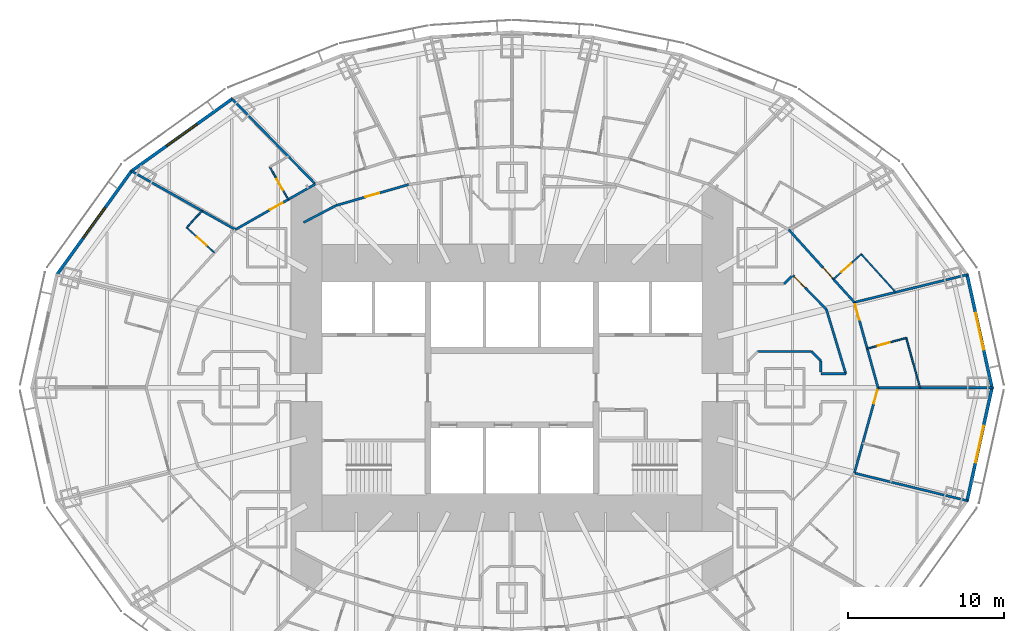
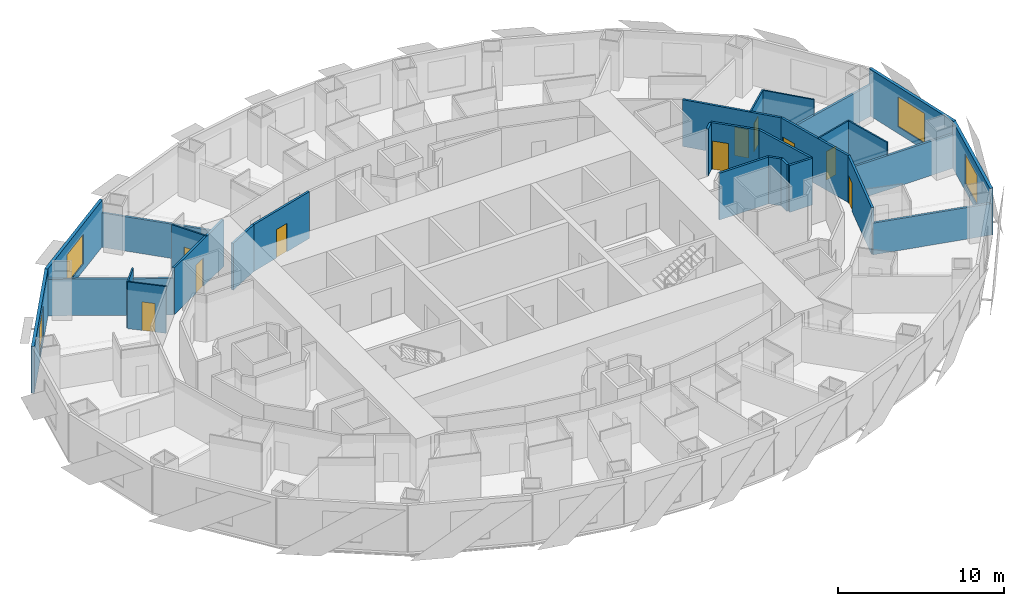
# One storey, part 9 of 17: 29 walls, 10 doors, 4 windows, 14 openings.
"""IFC4 building model written with IfcOpenShell, lengths in metres."""

from ifc_helpers import new_model, si_unit, direction, frame, frame_2d, origin, place, context, subcontext, project, spatial, rectangle, extrude, material, layer, layer_set, type_object, element, fill, save


model = new_model("IFC4")

# Units and contexts
model_context = context("Model", 3, precision=1e-05, world=origin(), true_north=direction((0.0, 1.0)))
body_context = subcontext(model_context, "Body", "Model", "MODEL_VIEW")
ifc_project = project(units=[si_unit("LENGTHUNIT", "METRE"), si_unit("AREAUNIT", "SQUARE_METRE"), si_unit("VOLUMEUNIT", "CUBIC_METRE"), si_unit("PLANEANGLEUNIT", "RADIAN"), si_unit("MASSUNIT", "GRAM", prefix="KILO")], contexts=[model_context])

# Site, building, storey
site_placement = place(None, origin())
site = spatial("IfcSite", under=ifc_project, at=site_placement, CompositionType="ELEMENT")
building_placement = place(site_placement, origin())
building = spatial("IfcBuilding", under=site, at=building_placement, Name="Lantaw Convention Tower", CompositionType="ELEMENT")
storey_placement = place(building_placement, frame((0.0, 0.0, 37.0)))
storey = spatial("IfcBuildingStorey", under=building, at=storey_placement, Name="L06", CompositionType="ELEMENT", Elevation=37.0)

# Wall, opening, door
ifc_material_1 = material(Name="Moisture resistant gypsum board on steel studs", Category="steel")
ifc_layer_1 = layer(ifc_material_1, 0.10009765625)
ifc_layer_set_1 = layer_set([ifc_layer_1], Name="Bathroom wall 100")
wall_type_1 = type_object("IfcWallType", Name="Bathroom wall 100", PredefinedType="PARTITIONING", material=ifc_layer_set_1)
wall_1_placement = place(storey_placement, frame((22.805908203125, 2.505615234375, 0.0), z_axis=(0.0, 0.0, 1.0), x_axis=(0.963707353322, 0.266960928139, 0.0)))
wall_1 = element("IfcWall", 1, at=wall_1_placement, inside=storey, type_object=wall_type_1, Name="Bathroom wall 100", PredefinedType="PARTITIONING", context=body_context, shape_type="SweptSolid", body=[
    extrude(rectangle(XDim=2.599853515625, YDim=0.10009765625, at=frame_2d((1.2998046875, 0.0))), origin(), (0.0, 0.0, 1.0), 3.449951171875),
])
opening_1_placement = place(wall_1_placement, frame((0.699951171875, 0.0, 0.0)))
opening_1 = element("IfcOpeningElement", 2, at=opening_1_placement, cuts=wall_1, Name="Opening L06.25", PredefinedType="OPENING", context=body_context, shape_type="SweptSolid", body=[
    extrude(rectangle(XDim=0.800048828125, YDim=2.10009765625, at=frame_2d((0.39990234375, 1.050048828125))), frame((0.0, 0.06005859375, 0.0), z_axis=(0.0, -1.0, 0.0), x_axis=(1.0, 0.0, 0.0)), (0.0, 0.0, 1.0), 0.1201171875),
])
ifc_material_2 = material(Name="Timber", Category="wood")
door_type_1 = type_object("IfcDoorType", Name="Bathroom door 800", OperationType="SINGLE_SWING_LEFT", PredefinedType="DOOR", material=ifc_material_2)
door_1_placement = place(opening_1_placement, origin())
door_1 = element("IfcDoor", 3, at=door_1_placement, inside=storey, type_object=door_type_1, Name="Bathroom door", OperationType="SINGLE_SWING_LEFT", OverallHeight=2.10009765625, OverallWidth=0.800048828125, PredefinedType="DOOR", context=body_context, shape_type="SweptSolid", body=[
    extrude(rectangle(XDim=0.800048828125, YDim=2.10009765625, at=frame_2d((0.39990234375, 1.050048828125))), frame((0.0, 0.02490234375, 0.0), z_axis=(0.0, -1.0, 0.0), x_axis=(1.0, 0.0, 0.0)), (0.0, 0.0, 1.0), 0.050048828125),
])
fill(opening_1, door_1)

# Wall
wall_2_placement = place(storey_placement, frame((25.3115234375, 3.19970703125, 0.0), z_axis=(0.0, 0.0, 1.0), x_axis=(0.266991503446, -0.963698882996, 0.0)))
element("IfcWall", 4, at=wall_2_placement, inside=storey, type_object=wall_type_1, Name="Bathroom wall 100", PredefinedType="PARTITIONING", context=body_context, shape_type="SweptSolid", body=[
    extrude(rectangle(XDim=3.3203125, YDim=0.10009765625, at=frame_2d((1.66015625, 0.0))), origin(), (0.0, 0.0, 1.0), 3.449951171875),
])

# Wall, opening, door
wall_3_placement = place(storey_placement, frame((20.640625, 6.96435546875, 0.0), z_axis=(0.0, 0.0, 1.0), x_axis=(0.741861025859, 0.670553665496, 0.0)))
wall_3 = element("IfcWall", 5, at=wall_3_placement, inside=storey, type_object=wall_type_1, Name="Bathroom wall 100", PredefinedType="PARTITIONING", context=body_context, shape_type="SweptSolid", body=[
    extrude(rectangle(XDim=2.400146484375, YDim=0.10009765625, at=frame_2d((1.2001953125, 0.0))), origin(), (0.0, 0.0, 1.0), 3.449951171875),
])
opening_2_placement = place(wall_3_placement, frame((0.699951171875, 0.0, 0.0)))
opening_2 = element("IfcOpeningElement", 6, at=opening_2_placement, cuts=wall_3, Name="Opening L06.27", PredefinedType="OPENING", context=body_context, shape_type="SweptSolid", body=[
    extrude(rectangle(XDim=0.800048828125, YDim=2.10009765625, at=frame_2d((0.39990234375, 1.050048828125))), frame((0.0, 0.06005859375, 0.0), z_axis=(0.0, -1.0, 0.0), x_axis=(1.0, 0.0, 0.0)), (0.0, 0.0, 1.0), 0.1201171875),
])
door_2_placement = place(opening_2_placement, origin())
door_2 = element("IfcDoor", 7, at=door_2_placement, inside=storey, type_object=door_type_1, Name="Bathroom door", OperationType="SINGLE_SWING_LEFT", OverallHeight=2.10009765625, OverallWidth=0.800048828125, PredefinedType="DOOR", context=body_context, shape_type="SweptSolid", body=[
    extrude(rectangle(XDim=0.800048828125, YDim=2.10009765625, at=frame_2d((0.39990234375, 1.050048828125))), frame((0.0, 0.02490234375, 0.0), z_axis=(0.0, -1.0, 0.0), x_axis=(1.0, 0.0, 0.0)), (0.0, 0.0, 1.0), 0.050048828125),
])
fill(opening_2, door_2)

# Wall
wall_4_placement = place(storey_placement, frame((22.421142578125, 8.57373046875, 0.0), z_axis=(0.0, 0.0, 1.0), x_axis=(0.670578246017, -0.741838807268, 0.0)))
element("IfcWall", 8, at=wall_4_placement, inside=storey, type_object=wall_type_1, Name="Bathroom wall 100", PredefinedType="PARTITIONING", context=body_context, shape_type="SweptSolid", body=[
    extrude(rectangle(XDim=3.2822265625, YDim=0.10009765625, at=frame_2d((1.64111328125, 0.0))), origin(), (0.0, 0.0, 1.0), 3.449951171875),
])

# Wall, opening, door
wall_5_placement = place(storey_placement, frame((-14.36279296875, 12.083984375, 0.0), z_axis=(0.0, 0.0, 1.0), x_axis=(-0.494703113698, 0.869062039959, 0.0)))
wall_5 = element("IfcWall", 9, at=wall_5_placement, inside=storey, type_object=wall_type_1, Name="Bathroom wall 100", PredefinedType="PARTITIONING", context=body_context, shape_type="SweptSolid", body=[
    extrude(rectangle(XDim=2.39990234375, YDim=0.10009765625, at=frame_2d((1.199951171875, 0.0))), origin(), (0.0, 0.0, 1.0), 3.449951171875),
])
opening_3_placement = place(wall_5_placement, frame((0.699951171875, 0.0, 0.0)))
opening_3 = element("IfcOpeningElement", 10, at=opening_3_placement, cuts=wall_5, Name="Opening L06.43", PredefinedType="OPENING", context=body_context, shape_type="SweptSolid", body=[
    extrude(rectangle(XDim=0.800048828125, YDim=2.10009765625, at=frame_2d((0.39990234375, 1.050048828125))), frame((0.0, 0.06005859375, 0.0), z_axis=(0.0, -1.0, 0.0), x_axis=(1.0, 0.0, 0.0)), (0.0, 0.0, 1.0), 0.1201171875),
])
door_3_placement = place(opening_3_placement, origin())
door_3 = element("IfcDoor", 11, at=door_3_placement, inside=storey, type_object=door_type_1, Name="Bathroom door", OperationType="SINGLE_SWING_LEFT", OverallHeight=2.10009765625, OverallWidth=0.800048828125, PredefinedType="DOOR", context=body_context, shape_type="SweptSolid", body=[
    extrude(rectangle(XDim=0.800048828125, YDim=2.10009765625, at=frame_2d((0.39990234375, 1.050048828125))), frame((0.0, 0.02490234375, 0.0), z_axis=(0.0, -1.0, 0.0), x_axis=(1.0, 0.0, 0.0)), (0.0, 0.0, 1.0), 0.050048828125),
])
fill(opening_3, door_3)

wall_6_placement = place(storey_placement, frame((-19.1025390625, 8.665771484375, 0.0), z_axis=(0.0, 0.0, 1.0), x_axis=(-0.741861025859, 0.670553665496, 0.0)))
wall_6 = element("IfcWall", 12, at=wall_6_placement, inside=storey, type_object=wall_type_1, Name="Bathroom wall 100", PredefinedType="PARTITIONING", context=body_context, shape_type="SweptSolid", body=[
    extrude(rectangle(XDim=2.400146484375, YDim=0.10009765625, at=frame_2d((1.2001953125, 0.0))), origin(), (0.0, 0.0, 1.0), 3.449951171875),
])
opening_4_placement = place(wall_6_placement, frame((0.699951171875, 0.0, 0.0)))
opening_4 = element("IfcOpeningElement", 13, at=opening_4_placement, cuts=wall_6, Name="Opening L06.45", PredefinedType="OPENING", context=body_context, shape_type="SweptSolid", body=[
    extrude(rectangle(XDim=0.800048828125, YDim=2.10009765625, at=frame_2d((0.39990234375, 1.050048828125))), frame((0.0, 0.06005859375, 0.0), z_axis=(0.0, -1.0, 0.0), x_axis=(1.0, 0.0, 0.0)), (0.0, 0.0, 1.0), 0.1201171875),
])
door_4_placement = place(opening_4_placement, origin())
door_4 = element("IfcDoor", 14, at=door_4_placement, inside=storey, type_object=door_type_1, Name="Bathroom door", OperationType="SINGLE_SWING_LEFT", OverallHeight=2.10009765625, OverallWidth=0.800048828125, PredefinedType="DOOR", context=body_context, shape_type="SweptSolid", body=[
    extrude(rectangle(XDim=0.800048828125, YDim=2.10009765625, at=frame_2d((0.39990234375, 1.050048828125))), frame((0.0, 0.02490234375, 0.0), z_axis=(0.0, -1.0, 0.0), x_axis=(1.0, 0.0, 0.0)), (0.0, 0.0, 1.0), 0.050048828125),
])
fill(opening_4, door_4)

# Wall
wall_7_placement = place(storey_placement, frame((-20.883056640625, 10.275146484375, 0.0), z_axis=(0.0, 0.0, 1.0), x_axis=(0.670592268759, 0.7418261313, 0.0)))
element("IfcWall", 15, at=wall_7_placement, inside=storey, type_object=wall_type_1, Name="Bathroom wall 100", PredefinedType="PARTITIONING", context=body_context, shape_type="SweptSolid", body=[
    extrude(rectangle(XDim=1.4736328125, YDim=0.10009765625, at=frame_2d((0.73681640625, 0.0))), origin(), (0.0, 0.0, 1.0), 3.449951171875),
])

# Wall, opening, door
ifc_material_3 = material(Name="Gypsum board on steel studs, fire rated", Category="steel")
ifc_layer_2 = layer(ifc_material_3, 0.14990234375)
ifc_layer_set_2 = layer_set([ifc_layer_2], Name="Corridor wall 150 EI 60")
wall_type_2 = type_object("IfcWallType", Name="Corridor wall 150 EI 60", PredefinedType="PARTITIONING", material=ifc_layer_set_2)
wall_8_placement = place(storey_placement, frame((23.5, 0.0, 0.0), z_axis=(0.0, 0.0, 1.0), x_axis=(-0.266933062421, 0.963715072097, 0.0)))
wall_8 = element("IfcWall", 16, at=wall_8_placement, inside=storey, type_object=wall_type_2, Name="Corridor wall 150", PredefinedType="PARTITIONING", context=body_context, shape_type="SweptSolid", body=[
    extrude(rectangle(XDim=5.68701171875, YDim=0.14990234375, at=frame_2d((2.843505859375, 0.0))), origin(), (0.0, 0.0, 1.0), 3.449951171875),
])
opening_5_placement = place(wall_8_placement, frame((4.537109375, 0.0, 0.0)))
opening_5 = element("IfcOpeningElement", 17, at=opening_5_placement, cuts=wall_8, Name="Opening L06.26", PredefinedType="OPENING", context=body_context, shape_type="SweptSolid", body=[
    extrude(rectangle(XDim=1.0, YDim=2.10009765625, at=frame_2d((0.5, 1.050048828125))), frame((0.0, 0.0849609375, 0.0), z_axis=(0.0, -1.0, 0.0), x_axis=(1.0, 0.0, 0.0)), (0.0, 0.0, 1.0), 0.169921875),
])
ifc_material_4 = material(Name="Steel, fire rated", Category="steel")
door_type_2 = type_object("IfcDoorType", Name="Accessible room entrance door FD30S", OperationType="SINGLE_SWING_LEFT", PredefinedType="DOOR", material=ifc_material_4)
door_5_placement = place(opening_5_placement, origin())
door_5 = element("IfcDoor", 18, at=door_5_placement, inside=storey, type_object=door_type_2, Name="Guest room entrance door", OperationType="SINGLE_SWING_LEFT", OverallHeight=2.10009765625, OverallWidth=1.0, PredefinedType="DOOR", context=body_context, shape_type="SweptSolid", body=[
    extrude(rectangle(XDim=1.0, YDim=2.10009765625, at=frame_2d((0.5, 1.050048828125))), frame((0.0, 0.02490234375, 0.0), z_axis=(0.0, -1.0, 0.0), x_axis=(1.0, 0.0, 0.0)), (0.0, 0.0, 1.0), 0.050048828125),
])
fill(opening_5, door_5)

wall_9_placement = place(storey_placement, frame((21.98193359375, 5.480712890625, 0.0), z_axis=(0.0, 0.0, 1.0), x_axis=(-0.670598380282, 0.741820606591, 0.0)))
wall_9 = element("IfcWall", 19, at=wall_9_placement, inside=storey, type_object=wall_type_2, Name="Corridor wall 150", PredefinedType="PARTITIONING", context=body_context, shape_type="SweptSolid", body=[
    extrude(rectangle(XDim=6.29345703125, YDim=0.14990234375, at=frame_2d((3.146728515625, 0.0))), origin(), (0.0, 0.0, 1.0), 3.449951171875),
])
opening_6_placement = place(wall_9_placement, frame((2.10009765625, 0.0, 0.0)))
opening_6 = element("IfcOpeningElement", 20, at=opening_6_placement, cuts=wall_9, Name="Opening L06.28", PredefinedType="OPENING", context=body_context, shape_type="SweptSolid", body=[
    extrude(rectangle(XDim=0.89990234375, YDim=2.10009765625, at=frame_2d((0.449951171875, 1.050048828125))), frame((0.0, 0.0849609375, 0.0), z_axis=(0.0, -1.0, 0.0), x_axis=(1.0, 0.0, 0.0)), (0.0, 0.0, 1.0), 0.169921875),
])
door_type_3 = type_object("IfcDoorType", Name="Guest room entrance door FD30S", OperationType="SINGLE_SWING_LEFT", PredefinedType="DOOR", material=ifc_material_4)
door_6_placement = place(opening_6_placement, origin())
door_6 = element("IfcDoor", 21, at=door_6_placement, inside=storey, type_object=door_type_3, Name="Guest room entrance door", OperationType="SINGLE_SWING_LEFT", OverallHeight=2.10009765625, OverallWidth=0.89990234375, PredefinedType="DOOR", context=body_context, shape_type="SweptSolid", body=[
    extrude(rectangle(XDim=0.89990234375, YDim=2.10009765625, at=frame_2d((0.449951171875, 1.050048828125))), frame((0.0, 0.02490234375, 0.0), z_axis=(0.0, -1.0, 0.0), x_axis=(1.0, 0.0, 0.0)), (0.0, 0.0, 1.0), 0.050048828125),
])
fill(opening_6, door_6)

wall_10_placement = place(storey_placement, frame((-12.624755859375, 13.0732421875, 0.0), z_axis=(0.0, 0.0, 1.0), x_axis=(-0.86907565943, -0.494679187136, 0.0)))
wall_10 = element("IfcWall", 22, at=wall_10_placement, inside=storey, type_object=wall_type_2, Name="Corridor wall 150", PredefinedType="PARTITIONING", context=body_context, shape_type="SweptSolid", body=[
    extrude(rectangle(XDim=5.91064453125, YDim=0.14990234375, at=frame_2d((2.955322265625, 0.0))), origin(), (0.0, 0.0, 1.0), 3.449951171875),
])
opening_7_placement = place(wall_10_placement, frame((2.43701171875, 0.0, 0.0)))
opening_7 = element("IfcOpeningElement", 23, at=opening_7_placement, cuts=wall_10, Name="Opening L06.44", PredefinedType="OPENING", context=body_context, shape_type="SweptSolid", body=[
    extrude(rectangle(XDim=0.89990234375, YDim=2.10009765625, at=frame_2d((0.449951171875, 1.050048828125))), frame((0.0, 0.0849609375, 0.0), z_axis=(0.0, -1.0, 0.0), x_axis=(1.0, 0.0, 0.0)), (0.0, 0.0, 1.0), 0.169921875),
])
door_7_placement = place(opening_7_placement, origin())
door_7 = element("IfcDoor", 24, at=door_7_placement, inside=storey, type_object=door_type_3, Name="Guest room entrance door", OperationType="SINGLE_SWING_LEFT", OverallHeight=2.10009765625, OverallWidth=0.89990234375, PredefinedType="DOOR", context=body_context, shape_type="SweptSolid", body=[
    extrude(rectangle(XDim=0.89990234375, YDim=2.10009765625, at=frame_2d((0.449951171875, 1.050048828125))), frame((0.0, 0.02490234375, 0.0), z_axis=(0.0, -1.0, 0.0), x_axis=(1.0, 0.0, 0.0)), (0.0, 0.0, 1.0), 0.050048828125),
])
fill(opening_7, door_7)

wall_11_placement = place(storey_placement, frame((21.98193359375, -5.480712890625, 0.0), z_axis=(0.0, 0.0, 1.0), x_axis=(0.266933062421, 0.963715072097, 0.0)))
wall_11 = element("IfcWall", 25, at=wall_11_placement, inside=storey, type_object=wall_type_2, Name="Corridor wall 150", PredefinedType="PARTITIONING", context=body_context, shape_type="SweptSolid", body=[
    extrude(rectangle(XDim=5.68701171875, YDim=0.14990234375, at=frame_2d((2.843505859375, 0.0))), origin(), (0.0, 0.0, 1.0), 3.449951171875),
])
opening_8_placement = place(wall_11_placement, frame((4.63720703125, 0.0, 0.0)))
opening_8 = element("IfcOpeningElement", 26, at=opening_8_placement, cuts=wall_11, Name="Opening L06.71", PredefinedType="OPENING", context=body_context, shape_type="SweptSolid", body=[
    extrude(rectangle(XDim=0.89990234375, YDim=2.10009765625, at=frame_2d((0.449951171875, 1.050048828125))), frame((0.0, 0.0849609375, 0.0), z_axis=(0.0, -1.0, 0.0), x_axis=(1.0, 0.0, 0.0)), (0.0, 0.0, 1.0), 0.169921875),
])
door_8_placement = place(opening_8_placement, origin())
door_8 = element("IfcDoor", 27, at=door_8_placement, inside=storey, type_object=door_type_3, Name="Guest room entrance door", OperationType="SINGLE_SWING_LEFT", OverallHeight=2.10009765625, OverallWidth=0.89990234375, PredefinedType="DOOR", context=body_context, shape_type="SweptSolid", body=[
    extrude(rectangle(XDim=0.89990234375, YDim=2.10009765625, at=frame_2d((0.449951171875, 1.050048828125))), frame((0.0, 0.02490234375, 0.0), z_axis=(0.0, -1.0, 0.0), x_axis=(1.0, 0.0, 0.0)), (0.0, 0.0, 1.0), 0.050048828125),
])
fill(opening_8, door_8)

# Wall
wall_12_placement = place(storey_placement, frame((21.4287109375, 0.89990234375, 0.0), z_axis=(0.0, 0.0, 1.0), x_axis=(-0.288603524054, 0.957448696225, 0.0)))
element("IfcWall", 28, at=wall_12_placement, inside=storey, type_object=wall_type_2, Name="Corridor wall 150", PredefinedType="PARTITIONING", context=body_context, shape_type="SweptSolid", body=[
    extrude(rectangle(XDim=4.31591796875, YDim=0.14990234375, at=frame_2d((2.157958984375, 0.0))), origin(), (0.0, 0.0, 1.0), 3.449951171875),
])

# Wall, opening, door
wall_13_placement = place(storey_placement, frame((-6.645263671875, 13.041748046875, 0.0), z_axis=(0.0, 0.0, 1.0), x_axis=(-0.960678318068, -0.277663770041, 0.0)))
wall_13 = element("IfcWall", 29, at=wall_13_placement, inside=storey, type_object=wall_type_2, Name="Corridor wall 150", PredefinedType="PARTITIONING", context=body_context, shape_type="SweptSolid", body=[
    extrude(rectangle(XDim=4.84130859375, YDim=0.14990234375, at=frame_2d((2.420654296875, 0.0))), origin(), (0.0, 0.0, 1.0), 3.449951171875),
])
opening_9_placement = place(wall_13_placement, frame((1.970703125, 0.0, 0.0)))
opening_9 = element("IfcOpeningElement", 30, at=opening_9_placement, cuts=wall_13, Name="Opening L06.19", PredefinedType="OPENING", context=body_context, shape_type="SweptSolid", body=[
    extrude(rectangle(XDim=0.89990234375, YDim=2.10009765625, at=frame_2d((0.449951171875, 1.050048828125))), frame((0.0, 0.0849609375, 0.0), z_axis=(0.0, -1.0, 0.0), x_axis=(1.0, 0.0, 0.0)), (0.0, 0.0, 1.0), 0.169921875),
])
door_type_4 = type_object("IfcDoorType", Name="Service door 900 FD30", OperationType="SINGLE_SWING_LEFT", PredefinedType="DOOR", material=ifc_material_4)
door_9_placement = place(opening_9_placement, origin())
door_9 = element("IfcDoor", 31, at=door_9_placement, inside=storey, type_object=door_type_4, Name="Housekeeping store door", OperationType="SINGLE_SWING_LEFT", OverallHeight=2.10009765625, OverallWidth=0.89990234375, PredefinedType="DOOR", context=body_context, shape_type="SweptSolid", body=[
    extrude(rectangle(XDim=0.89990234375, YDim=2.10009765625, at=frame_2d((0.449951171875, 1.050048828125))), frame((0.0, 0.02490234375, 0.0), z_axis=(0.0, -1.0, 0.0), x_axis=(1.0, 0.0, 0.0)), (0.0, 0.0, 1.0), 0.050048828125),
])
fill(opening_9, door_9)

# Wall
wall_14_placement = place(storey_placement, frame((-11.296142578125, 11.697509765625, 0.0), z_axis=(0.0, 0.0, 1.0), x_axis=(-0.886306431218, -0.463099244203, 0.0)))
element("IfcWall", 32, at=wall_14_placement, inside=storey, type_object=wall_type_2, Name="Corridor wall 150", PredefinedType="PARTITIONING", context=body_context, shape_type="SweptSolid", body=[
    extrude(rectangle(XDim=2.3623046875, YDim=0.14990234375, at=frame_2d((1.18115234375, 0.0))), origin(), (0.0, 0.0, 1.0), 3.449951171875),
])

# Wall, opening, door
wall_15_placement = place(storey_placement, frame((20.18310546875, 5.0322265625, 0.0), z_axis=(0.0, 0.0, 1.0), x_axis=(-0.701392176983, 0.712775570616, 0.0)))
wall_15 = element("IfcWall", 33, at=wall_15_placement, inside=storey, type_object=wall_type_2, Name="Corridor wall 150", PredefinedType="PARTITIONING", context=body_context, shape_type="SweptSolid", body=[
    extrude(rectangle(XDim=3.06689453125, YDim=0.14990234375, at=frame_2d((1.533447265625, 0.0))), origin(), (0.0, 0.0, 1.0), 3.449951171875),
])
opening_10_placement = place(wall_15_placement, frame((1.949951171875, 0.0, 0.0)))
opening_10 = element("IfcOpeningElement", 34, at=opening_10_placement, cuts=wall_15, Name="Opening L06.16", PredefinedType="OPENING", context=body_context, shape_type="SweptSolid", body=[
    extrude(rectangle(XDim=1.0, YDim=2.10009765625, at=frame_2d((0.5, 1.050048828125))), frame((0.0, 0.0849609375, 0.0), z_axis=(0.0, -1.0, 0.0), x_axis=(1.0, 0.0, 0.0)), (0.0, 0.0, 1.0), 0.169921875),
])
door_type_5 = type_object("IfcDoorType", Name="Service door 1000 FD30", OperationType="SINGLE_SWING_LEFT", PredefinedType="DOOR", material=ifc_material_4)
door_10_placement = place(opening_10_placement, origin())
door_10 = element("IfcDoor", 35, at=door_10_placement, inside=storey, type_object=door_type_5, Name="Linen store door", OperationType="SINGLE_SWING_LEFT", OverallHeight=2.10009765625, OverallWidth=1.0, PredefinedType="DOOR", context=body_context, shape_type="SweptSolid", body=[
    extrude(rectangle(XDim=1.0, YDim=2.10009765625, at=frame_2d((0.5, 1.050048828125))), frame((0.0, 0.02490234375, 0.0), z_axis=(0.0, -1.0, 0.0), x_axis=(1.0, 0.0, 0.0)), (0.0, 0.0, 1.0), 0.050048828125),
])
fill(opening_10, door_10)

# Walls
wall_16_placement = place(storey_placement, frame((17.951904296875, 7.15234375, 0.0), z_axis=(0.0, 0.0, 1.0), x_axis=(-0.707106781187, -0.707106781187, 0.0)))
element("IfcWall", 36, at=wall_16_placement, inside=storey, type_object=wall_type_2, Name="Corridor wall 150", PredefinedType="PARTITIONING", context=body_context, shape_type="SweptSolid", body=[
    extrude(rectangle(XDim=0.675048828125, YDim=0.14990234375, at=frame_2d((0.33740234375, 0.0))), origin(), (0.0, 0.0, 1.0), 3.449951171875),
])
wall_17_placement = place(storey_placement, frame((19.8349609375, 0.89990234375, 0.0), z_axis=(0.0, 0.0, 1.0), x_axis=(1.0, 0.0, 0.0)))
element("IfcWall", 37, at=wall_17_placement, inside=storey, type_object=wall_type_2, Name="Corridor wall 150", PredefinedType="PARTITIONING", context=body_context, shape_type="SweptSolid", body=[
    extrude(rectangle(XDim=1.59375, YDim=0.14990234375, at=frame_2d((0.796875, 0.0))), origin(), (0.0, 0.0, 1.0), 3.449951171875),
])
wall_18_placement = place(storey_placement, frame((15.775390625, 2.324951171875, 0.0), z_axis=(0.0, 0.0, 1.0), x_axis=(1.0, 0.0, 0.0)))
element("IfcWall", 38, at=wall_18_placement, inside=storey, type_object=wall_type_2, Name="Corridor wall 150", PredefinedType="PARTITIONING", context=body_context, shape_type="SweptSolid", body=[
    extrude(rectangle(XDim=3.44921875, YDim=0.14990234375, at=frame_2d((1.724609375, 0.0))), origin(), (0.0, 0.0, 1.0), 3.449951171875),
])
wall_19_placement = place(storey_placement, frame((19.224609375, 2.324951171875, 0.0), z_axis=(0.0, 0.0, 1.0), x_axis=(0.707106781187, -0.707106781187, 0.0)))
element("IfcWall", 39, at=wall_19_placement, inside=storey, type_object=wall_type_2, Name="Corridor wall 150", PredefinedType="PARTITIONING", context=body_context, shape_type="SweptSolid", body=[
    extrude(rectangle(XDim=0.84912109375, YDim=0.14990234375, at=frame_2d((0.424560546875, 0.0))), origin(), (0.0, 0.0, 1.0), 3.449951171875),
])
wall_20_placement = place(storey_placement, frame((19.824951171875, 1.724609375, 0.0), z_axis=(0.0, 0.0, 1.0), x_axis=(0.0, -1.0, 0.0)))
element("IfcWall", 40, at=wall_20_placement, inside=storey, type_object=wall_type_2, Name="Corridor wall 150", PredefinedType="PARTITIONING", context=body_context, shape_type="SweptSolid", body=[
    extrude(rectangle(XDim=0.721435546875, YDim=0.14990234375, at=frame_2d((0.36083984375, 0.0))), origin(), (0.0, 0.0, 1.0), 3.449951171875),
])

# Wall, opening, window
ifc_material_5 = material(Name="Insulated aluminium panel on steel frame", Category="steel")
ifc_layer_3 = layer(ifc_material_5, 0.199951171875)
ifc_layer_set_3 = layer_set([ifc_layer_3], Name="External wall 200")
wall_type_3 = type_object("IfcWallType", Name="External wall 200", PredefinedType="SOLIDWALL", material=ifc_layer_set_3)
wall_21_placement = place(storey_placement, frame((30.83544921875, -0.06689453125, 0.0), z_axis=(0.0, 0.0, 1.0), x_axis=(-0.215238065514, 0.976561608478, 0.0)))
wall_21 = element("IfcWall", 41, at=wall_21_placement, inside=storey, type_object=wall_type_3, Name="Facade panel wall", PredefinedType="SOLIDWALL", context=body_context, shape_type="SweptSolid", body=[
    extrude(rectangle(XDim=7.562255859375, YDim=0.199951171875, at=frame_2d((3.78125, 0.0))), origin(), (0.0, 0.0, 1.0), 3.449951171875),
])
opening_11_placement = place(wall_21_placement, frame((2.581298828125, 0.0, 0.5)))
opening_11 = element("IfcOpeningElement", 42, at=opening_11_placement, cuts=wall_21, Name="Opening W1", PredefinedType="OPENING", context=body_context, shape_type="SweptSolid", body=[
    extrude(rectangle(XDim=2.39990234375, YDim=2.199951171875, at=frame_2d((1.199951171875, 1.10009765625))), frame((0.0, 0.10986328125, 0.0), z_axis=(0.0, -1.0, 0.0), x_axis=(1.0, 0.0, 0.0)), (0.0, 0.0, 1.0), 0.219970703125),
])
ifc_material_6 = material(Name="Aluminium frame, clear insulating glass", Category="aluminium")
window_type = type_object("IfcWindowType", Name="Guest room window 2400x2200", PartitioningType="SINGLE_PANEL", PredefinedType="WINDOW", material=ifc_material_6)
window_1_placement = place(opening_11_placement, origin())
window_1 = element("IfcWindow", 43, at=window_1_placement, inside=storey, type_object=window_type, Name="Guest room window", OverallHeight=2.199951171875, OverallWidth=2.39990234375, PartitioningType="SINGLE_PANEL", PredefinedType="WINDOW", context=body_context, shape_type="SweptSolid", body=[
    extrude(rectangle(XDim=2.39990234375, YDim=2.199951171875, at=frame_2d((1.199951171875, 1.10009765625))), frame((0.0, 0.030029296875, 0.0), z_axis=(0.0, -1.0, 0.0), x_axis=(1.0, 0.0, 0.0)), (0.0, 0.0, 1.0), 0.06005859375),
])
fill(opening_11, window_1)

wall_22_placement = place(storey_placement, frame((-17.9287109375, 18.57177734375, 0.0), z_axis=(0.0, 0.0, 1.0), x_axis=(-0.812791321576, -0.582554948112, 0.0)))
wall_22 = element("IfcWall", 44, at=wall_22_placement, inside=storey, type_object=wall_type_3, Name="Facade panel wall", PredefinedType="SOLIDWALL", context=body_context, shape_type="SweptSolid", body=[
    extrude(rectangle(XDim=8.063232421875, YDim=0.199951171875, at=frame_2d((4.03173828125, 0.0))), origin(), (0.0, 0.0, 1.0), 3.449951171875),
])
opening_12_placement = place(wall_22_placement, frame((2.83154296875, 0.0, 0.5)))
opening_12 = element("IfcOpeningElement", 45, at=opening_12_placement, cuts=wall_22, Name="Opening W1", PredefinedType="OPENING", context=body_context, shape_type="SweptSolid", body=[
    extrude(rectangle(XDim=2.39990234375, YDim=2.199951171875, at=frame_2d((1.199951171875, 1.10009765625))), frame((0.0, 0.10986328125, 0.0), z_axis=(0.0, -1.0, 0.0), x_axis=(1.0, 0.0, 0.0)), (0.0, 0.0, 1.0), 0.219970703125),
])
window_2_placement = place(opening_12_placement, origin())
window_2 = element("IfcWindow", 46, at=window_2_placement, inside=storey, type_object=window_type, Name="Guest room window", OverallHeight=2.199951171875, OverallWidth=2.39990234375, PartitioningType="SINGLE_PANEL", PredefinedType="WINDOW", context=body_context, shape_type="SweptSolid", body=[
    extrude(rectangle(XDim=2.39990234375, YDim=2.199951171875, at=frame_2d((1.199951171875, 1.10009765625))), frame((0.0, 0.030029296875, 0.0), z_axis=(0.0, -1.0, 0.0), x_axis=(1.0, 0.0, 0.0)), (0.0, 0.0, 1.0), 0.06005859375),
])
fill(opening_12, window_2)

wall_23_placement = place(storey_placement, frame((-24.400390625, 13.95654296875, 0.0), z_axis=(0.0, 0.0, 1.0), x_axis=(-0.583937613703, -0.811798536155, 0.0)))
wall_23 = element("IfcWall", 47, at=wall_23_placement, inside=storey, type_object=wall_type_3, Name="Facade panel wall", PredefinedType="SOLIDWALL", context=body_context, shape_type="SweptSolid", body=[
    extrude(rectangle(XDim=8.322998046875, YDim=0.199951171875, at=frame_2d((4.16162109375, 0.0))), origin(), (0.0, 0.0, 1.0), 3.449951171875),
])
opening_13_placement = place(wall_23_placement, frame((2.96142578125, 0.0, 0.5)))
opening_13 = element("IfcOpeningElement", 48, at=opening_13_placement, cuts=wall_23, Name="Opening W1", PredefinedType="OPENING", context=body_context, shape_type="SweptSolid", body=[
    extrude(rectangle(XDim=2.39990234375, YDim=2.199951171875, at=frame_2d((1.199951171875, 1.10009765625))), frame((0.0, 0.10986328125, 0.0), z_axis=(0.0, -1.0, 0.0), x_axis=(1.0, 0.0, 0.0)), (0.0, 0.0, 1.0), 0.219970703125),
])
window_3_placement = place(opening_13_placement, origin())
window_3 = element("IfcWindow", 49, at=window_3_placement, inside=storey, type_object=window_type, Name="Guest room window", OverallHeight=2.199951171875, OverallWidth=2.39990234375, PartitioningType="SINGLE_PANEL", PredefinedType="WINDOW", context=body_context, shape_type="SweptSolid", body=[
    extrude(rectangle(XDim=2.39990234375, YDim=2.199951171875, at=frame_2d((1.199951171875, 1.10009765625))), frame((0.0, 0.030029296875, 0.0), z_axis=(0.0, -1.0, 0.0), x_axis=(1.0, 0.0, 0.0)), (0.0, 0.0, 1.0), 0.06005859375),
])
fill(opening_13, window_3)

wall_24_placement = place(storey_placement, frame((29.207763671875, -7.318115234375, 0.0), z_axis=(0.0, 0.0, 1.0), x_axis=(0.215238065514, 0.976561608478, 0.0)))
wall_24 = element("IfcWall", 50, at=wall_24_placement, inside=storey, type_object=wall_type_3, Name="Facade panel wall", PredefinedType="SOLIDWALL", context=body_context, shape_type="SweptSolid", body=[
    extrude(rectangle(XDim=7.562255859375, YDim=0.199951171875, at=frame_2d((3.78125, 0.0))), origin(), (0.0, 0.0, 1.0), 3.449951171875),
])
opening_14_placement = place(wall_24_placement, frame((2.581298828125, 0.0, 0.5)))
opening_14 = element("IfcOpeningElement", 51, at=opening_14_placement, cuts=wall_24, Name="Opening W1", PredefinedType="OPENING", context=body_context, shape_type="SweptSolid", body=[
    extrude(rectangle(XDim=2.39990234375, YDim=2.199951171875, at=frame_2d((1.199951171875, 1.10009765625))), frame((0.0, 0.10986328125, 0.0), z_axis=(0.0, -1.0, 0.0), x_axis=(1.0, 0.0, 0.0)), (0.0, 0.0, 1.0), 0.219970703125),
])
window_4_placement = place(opening_14_placement, origin())
window_4 = element("IfcWindow", 52, at=window_4_placement, inside=storey, type_object=window_type, Name="Guest room window", OverallHeight=2.199951171875, OverallWidth=2.39990234375, PartitioningType="SINGLE_PANEL", PredefinedType="WINDOW", context=body_context, shape_type="SweptSolid", body=[
    extrude(rectangle(XDim=2.39990234375, YDim=2.199951171875, at=frame_2d((1.199951171875, 1.10009765625))), frame((0.0, 0.030029296875, 0.0), z_axis=(0.0, -1.0, 0.0), x_axis=(1.0, 0.0, 0.0)), (0.0, 0.0, 1.0), 0.06005859375),
])
fill(opening_14, window_4)

# Walls
ifc_material_7 = material(Name="Gypsum board on steel studs, acoustic", Category="steel")
ifc_layer_4 = layer(ifc_material_7, 0.14990234375)
ifc_layer_set_4 = layer_set([ifc_layer_4], Name="Guest room party wall 150")
wall_type_4 = type_object("IfcWallType", Name="Guest room party wall 150", PredefinedType="PARTITIONING", material=ifc_layer_set_4)
wall_25_placement = place(storey_placement, frame((30.82080078125, 0.0, 0.0), z_axis=(0.0, 0.0, 1.0), x_axis=(-1.0, 0.0, 0.0)))
element("IfcWall", 53, at=wall_25_placement, inside=storey, type_object=wall_type_4, Name="Guest room party wall 150", PredefinedType="PARTITIONING", context=body_context, shape_type="SweptSolid", body=[
    extrude(rectangle(XDim=7.32080078125, YDim=0.14990234375, at=frame_2d((3.660400390625, 0.0))), origin(), (0.0, 0.0, 1.0), 2.528076171875),
])
wall_26_placement = place(storey_placement, frame((29.221923828125, 7.253662109375, 0.0), z_axis=(0.0, 0.0, 1.0), x_axis=(-0.97130070913, -0.237854855832, 0.0)))
element("IfcWall", 54, at=wall_26_placement, inside=storey, type_object=wall_type_4, Name="Guest room party wall 150", PredefinedType="PARTITIONING", context=body_context, shape_type="SweptSolid", body=[
    extrude(rectangle(XDim=7.453857421875, YDim=0.14990234375, at=frame_2d((3.72705078125, 0.0))), origin(), (0.0, 0.0, 1.0), 2.33251953125),
])
wall_27_placement = place(storey_placement, frame((-17.970458984375, 18.541748046875, 0.0), z_axis=(0.0, 0.0, 1.0), x_axis=(0.699032031211, -0.715090357467, 0.0)))
element("IfcWall", 55, at=wall_27_placement, inside=storey, type_object=wall_type_4, Name="Guest room party wall 150", PredefinedType="PARTITIONING", context=body_context, shape_type="SweptSolid", body=[
    extrude(rectangle(XDim=7.647216796875, YDim=0.14990234375, at=frame_2d((3.82373046875, 0.0))), origin(), (0.0, 0.0, 1.0), 2.528076171875),
])
wall_28_placement = place(storey_placement, frame((-24.434814453125, 13.90869140625, 0.0), z_axis=(0.0, 0.0, 1.0), x_axis=(0.871267209855, -0.490808974074, 0.0)))
element("IfcWall", 56, at=wall_28_placement, inside=storey, type_object=wall_type_4, Name="Guest room party wall 150", PredefinedType="PARTITIONING", context=body_context, shape_type="SweptSolid", body=[
    extrude(rectangle(XDim=7.659423828125, YDim=0.14990234375, at=frame_2d((3.82958984375, 0.0))), origin(), (0.0, 0.0, 1.0), 2.693115234375),
])
wall_29_placement = place(storey_placement, frame((29.221923828125, -7.253662109375, 0.0), z_axis=(0.0, 0.0, 1.0), x_axis=(-0.97130070913, 0.237854855832, 0.0)))
element("IfcWall", 57, at=wall_29_placement, inside=storey, type_object=wall_type_4, Name="Guest room party wall 150", PredefinedType="PARTITIONING", context=body_context, shape_type="SweptSolid", body=[
    extrude(rectangle(XDim=7.453857421875, YDim=0.14990234375, at=frame_2d((3.72705078125, 0.0))), origin(), (0.0, 0.0, 1.0), 2.33251953125),
])

save(model, "model.ifc")
